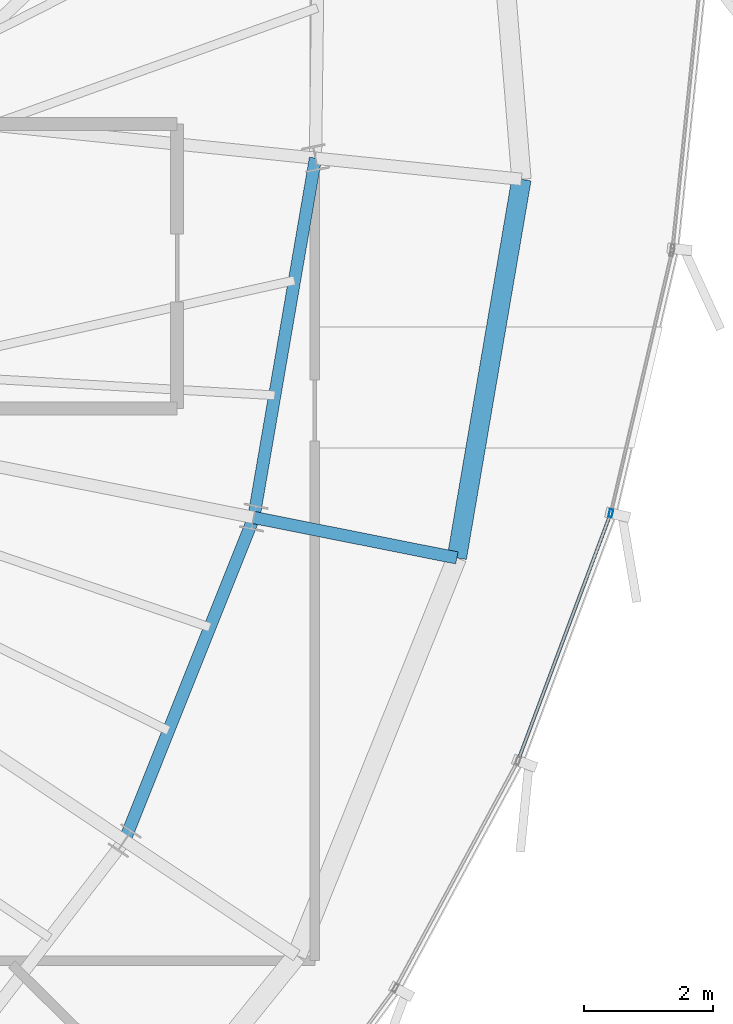
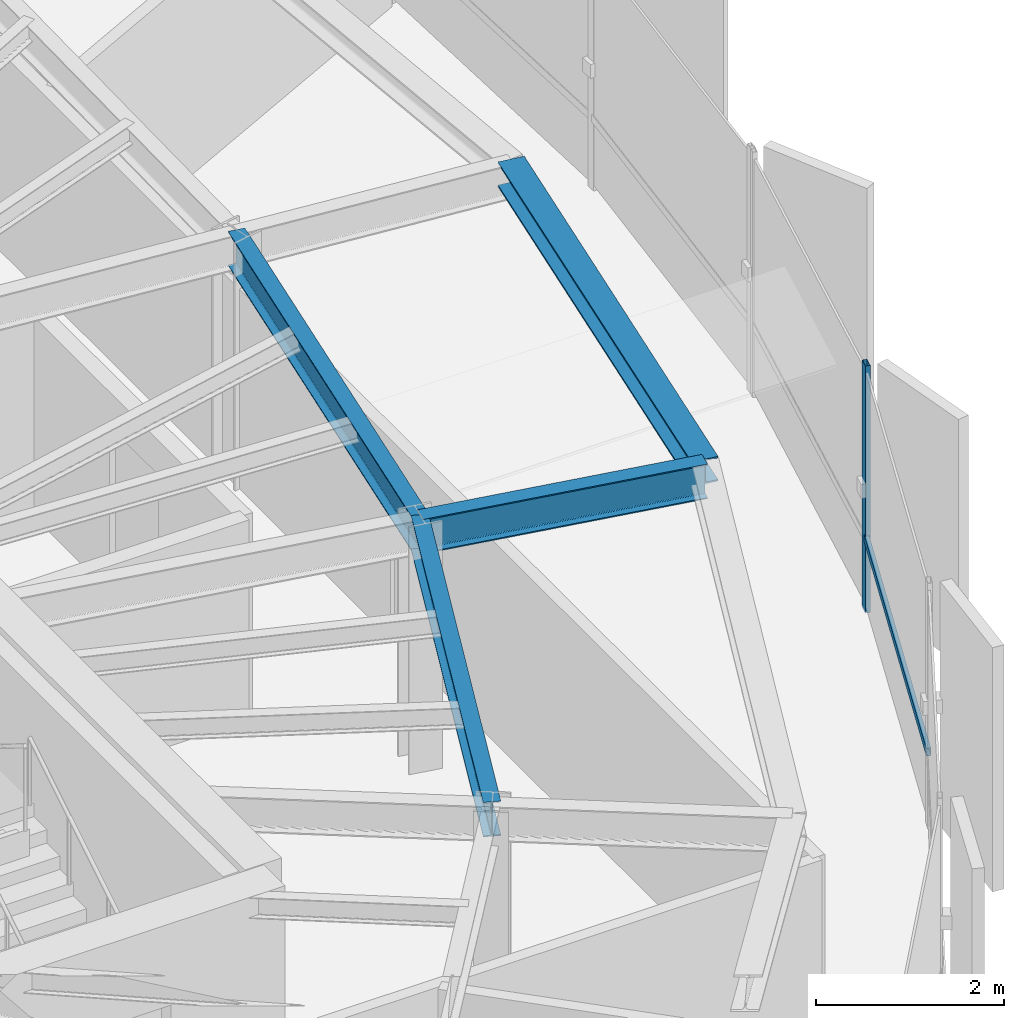
# One storey, part 14 of 33: 4 beams, 2 members, 1 element without a shape of its own.
"""IFC4 building model written with IfcOpenShell, lengths in metres."""

from ifc_helpers import new_model, si_unit, direction, frame, origin, origin_2d, place, context, subcontext, project, spatial, hollow_rectangle, i_section, extrude, source, transform, mapped, material, layer, layer_set, material_profile, profile_set, type_object, element, aggregate, save


model = new_model("IFC4")

# Units and contexts
model_context = context("Model", 3, precision=1e-05, world=origin(), true_north=direction((0.0, 1.0)))
body_context = subcontext(model_context, "Body", "Model", "MODEL_VIEW")
ifc_project = project(units=[si_unit("LENGTHUNIT", "METRE"), si_unit("AREAUNIT", "SQUARE_METRE"), si_unit("VOLUMEUNIT", "CUBIC_METRE"), si_unit("PLANEANGLEUNIT", "RADIAN"), si_unit("MASSUNIT", "GRAM", prefix="KILO"), si_unit("THERMODYNAMICTEMPERATUREUNIT", "KELVIN")], contexts=[model_context])

# Site, building, storey
site_placement = place(None, origin())
site = spatial("IfcSite", under=ifc_project, at=site_placement, CompositionType="ELEMENT")
building_placement = place(site_placement, origin())
building = spatial("IfcBuilding", under=site, at=building_placement, Name="Kethvar Cultural Tower", CompositionType="ELEMENT")
storey_placement = place(building_placement, frame((0.0, 0.0, 266.35009765625)))
storey = spatial("IfcBuildingStorey", under=building, at=storey_placement, Name="L70", CompositionType="ELEMENT", Elevation=266.35009765625)

# Beams
ifc_material_1 = material(Name="Steel S355J2", Category="steel")
ifc_material_profile_1 = material_profile(ifc_material_1, i_section(OverallWidth=0.18994140625, OverallDepth=0.449951171875, WebThickness=0.009521484375, FlangeThickness=0.0146484375, FilletRadius=0.02099609375, at=origin_2d()), Name="Steel S355J2 — IPE450")
ifc_profile_set_1 = profile_set([ifc_material_profile_1], Name="Steel S355J2 — IPE450")
beam_type_1 = type_object("IfcBeamType", Name="BM-IPE450", PredefinedType="BEAM", material=ifc_profile_set_1)
shared_shape_1 = source(origin(), body_context, "Body", "SweptSolid", [
    extrude(i_section(OverallWidth=0.18994140625, OverallDepth=0.449951171875, WebThickness=0.009521484375, FlangeThickness=0.0146484375, FilletRadius=0.02099609375, at=origin_2d()), origin(), (0.0, 0.0, 1.0), 3.199951171875),
])
beam_1_placement = place(storey_placement, frame((60.28369140625, 25.117919921875, 2.98291015625), z_axis=(0.980785550224, -0.195088965533, 0.0), x_axis=(0.195088965533, 0.980785550224, 0.0)))
element("IfcBeam", 1, at=beam_1_placement, inside=storey, type_object=beam_type_1, Name="L70 Perimeter Cantilever Beam RC-16", PredefinedType="BEAM", context=body_context, shape_type="MappedRepresentation", body=[
    mapped(shared_shape_1, transform((0.0, 0.0, 0.0), scale=1.0)),
])
shared_shape_2 = source(origin(), body_context, "Body", "SweptSolid", [
    extrude(i_section(OverallWidth=0.18994140625, OverallDepth=0.449951171875, WebThickness=0.009521484375, FlangeThickness=0.0146484375, FilletRadius=0.02099609375, at=origin_2d()), origin(), (0.0, 0.0, 1.0), 5.377685546875),
])
beam_2_placement = place(storey_placement, frame((58.287109375, 20.12451171875, 2.98291015625), z_axis=(0.371265436914, 0.928526776864, 0.0), x_axis=(-0.928526776864, 0.371265436914, 0.0)))
element("IfcBeam", 2, at=beam_2_placement, inside=storey, type_object=beam_type_1, Name="L70 Column Ring Tie Beam CR-15", PredefinedType="BEAM", context=body_context, shape_type="MappedRepresentation", body=[
    mapped(shared_shape_2, transform((0.0, 0.0, 0.0), scale=1.0)),
])
shared_shape_3 = source(origin(), body_context, "Body", "SweptSolid", [
    extrude(i_section(OverallWidth=0.18994140625, OverallDepth=0.449951171875, WebThickness=0.009521484375, FlangeThickness=0.0146484375, FilletRadius=0.02099609375, at=origin_2d()), origin(), (0.0, 0.0, 1.0), 5.635009765625),
])
beam_3_placement = place(storey_placement, frame((60.28369140625, 25.117919921875, 2.98291015625), z_axis=(0.169188687614, 0.985583678834, 0.0), x_axis=(-0.985583678834, 0.169188687614, 0.0)))
element("IfcBeam", 3, at=beam_3_placement, inside=storey, type_object=beam_type_1, Name="L70 Column Ring Tie Beam CR-16", PredefinedType="BEAM", context=body_context, shape_type="MappedRepresentation", body=[
    mapped(shared_shape_3, transform((0.0, 0.0, 0.0), scale=1.0)),
])
ifc_material_profile_2 = material_profile(ifc_material_1, i_section(OverallWidth=0.300048828125, OverallDepth=0.320068359375, WebThickness=0.011474609375, FlangeThickness=0.0205078125, FilletRadius=0.027099609375, at=origin_2d()), Name="Steel S355J2 — HEB320")
ifc_profile_set_2 = profile_set([ifc_material_profile_2], Name="Steel S355J2 — HEB320")
beam_type_2 = type_object("IfcBeamType", Name="BM-SP320", PredefinedType="SPANDREL", material=ifc_profile_set_2)
shared_shape_4 = source(origin(), body_context, "Body", "SweptSolid", [
    extrude(i_section(OverallWidth=0.300048828125, OverallDepth=0.320068359375, WebThickness=0.011474609375, FlangeThickness=0.0205078125, FilletRadius=0.027099609375, at=origin_2d()), origin(), (0.0, 0.0, 1.0), 5.93603515625),
])
beam_4_placement = place(storey_placement, frame((63.422119140625, 24.49365234375, 3.0478515625), z_axis=(0.16817267321, 0.985757552335, 0.0), x_axis=(-0.985757552335, 0.16817267321, 0.0)))
element("IfcBeam", 4, at=beam_4_placement, inside=storey, type_object=beam_type_2, Name="L70 Perimeter Spandrel Beam SP-16", PredefinedType="SPANDREL", context=body_context, shape_type="MappedRepresentation", body=[
    mapped(shared_shape_4, transform((0.0, 0.0, 0.0), scale=1.0)),
])

# Curtain wall, members
ifc_material_2 = material(Name="Aluminium 6063-T6", Category="aluminium")
ifc_layer = layer(ifc_material_2, 0.179931640625, Name="Aluminium 6063-T6", Category="aluminium")
ifc_layer_set = layer_set([ifc_layer], Name="Aluminium 6063-T6 (180 mm)")
curtain_wall_type = type_object("IfcCurtainWallType", Name="CW-SYS-05-Z56", PredefinedType="NOTDEFINED", material=ifc_layer_set)
curtain_wall_placement = place(storey_placement, origin())
curtain_wall = element("IfcCurtainWall", 5, at=curtain_wall_placement, inside=storey, type_object=curtain_wall_type, Name="L70 Curtain Wall Run 05", PredefinedType="NOTDEFINED")
ifc_material_profile_3 = material_profile(ifc_material_2, hollow_rectangle(XDim=0.054931640625, YDim=0.1201171875, WallThickness=0.00390625, at=origin_2d()), Name="Aluminium 6063-T6 — RHS120x55x4")
ifc_profile_set_3 = profile_set([ifc_material_profile_3], Name="Aluminium 6063-T6 — RHS120x55x4")
member_type_1 = type_object("IfcMemberType", Name="CW-SYS-05-Z56-MUL", PredefinedType="MULLION", material=ifc_profile_set_3)
shared_shape_5 = source(origin(), body_context, "Body", "SweptSolid", [
    extrude(hollow_rectangle(XDim=0.054931640625, YDim=0.1201171875, WallThickness=0.00390625, at=origin_2d()), origin(), (0.0, 0.0, 1.0), 3.2099609375),
])
member_1_placement = place(storey_placement, frame((65.80224609375, 25.1845703125, 0.0), z_axis=(0.0, 0.0, 1.0), x_axis=(-0.973662532443, 0.227994019476, 0.0)))
member_1 = element("IfcMember", 6, at=member_1_placement, type_object=member_type_1, Name="CW-L70-R05 Mullion 6", PredefinedType="MULLION", context=body_context, shape_type="MappedRepresentation", body=[
    mapped(shared_shape_5, transform((0.0, 0.0, 0.0), scale=1.0)),
])
ifc_material_profile_4 = material_profile(ifc_material_2, hollow_rectangle(XDim=0.050048828125, YDim=0.10009765625, WallThickness=0.00390625, at=origin_2d()), Name="Aluminium 6063-T6 — RHS100x50x4")
ifc_profile_set_4 = profile_set([ifc_material_profile_4], Name="Aluminium 6063-T6 — RHS100x50x4")
member_type_2 = type_object("IfcMemberType", Name="CW-SYS-05-Z56-TRN", PredefinedType="USERDEFINED", material=ifc_profile_set_4)
shared_shape_6 = source(origin(), body_context, "Body", "SweptSolid", [
    extrude(hollow_rectangle(XDim=0.050048828125, YDim=0.10009765625, WallThickness=0.00390625, at=origin_2d()), origin(), (0.0, 0.0, 1.0), 4.020263671875),
])
member_2_placement = place(storey_placement, frame((64.381103515625, 21.39501953125, 0.949951171875), z_axis=(0.350937096501, 0.936399035828, 0.0), x_axis=(-0.936399035828, 0.350937096501, 0.0)))
member_2 = element("IfcMember", 7, at=member_2_placement, type_object=member_type_2, Name="CW-L70-R05 Transom 5", ObjectType="TRANSOM", PredefinedType="USERDEFINED", context=body_context, shape_type="MappedRepresentation", body=[
    mapped(shared_shape_6, transform((0.0, 0.0, 0.0), scale=1.0)),
])
aggregate(curtain_wall, [member_1, member_2])

save(model, "model.ifc")
